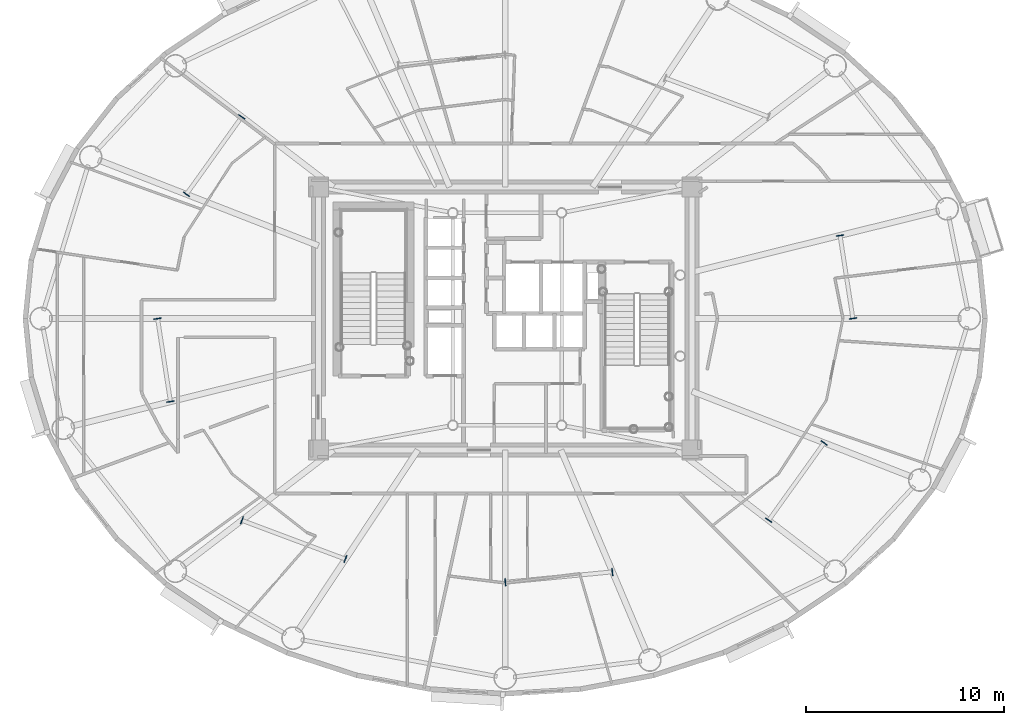
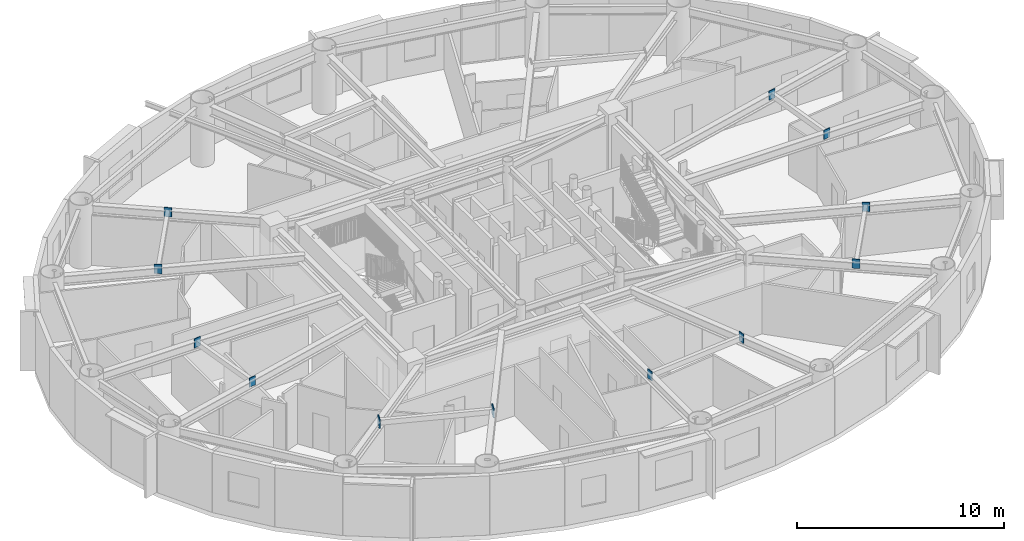
# One storey, part 7 of 22: 12 plates.
"""IFC4 building model written with IfcOpenShell, lengths in metres."""

from ifc_helpers import new_model, si_unit, direction, frame, origin, origin_2d, place, context, subcontext, project, spatial, rectangle, extrude, source, transform, mapped, material, layer, layer_set, type_object, element, save


model = new_model("IFC4")

# Units and contexts
model_context = context("Model", 3, precision=1e-05, world=origin(), true_north=direction((0.0, 1.0)))
body_context = subcontext(model_context, "Body", "Model", "MODEL_VIEW")
ifc_project = project(units=[si_unit("LENGTHUNIT", "METRE"), si_unit("AREAUNIT", "SQUARE_METRE"), si_unit("VOLUMEUNIT", "CUBIC_METRE"), si_unit("PLANEANGLEUNIT", "RADIAN"), si_unit("MASSUNIT", "GRAM", prefix="KILO")], contexts=[model_context])

# Site, building, storey
site_placement = place(None, origin())
site = spatial("IfcSite", under=ifc_project, at=site_placement, CompositionType="ELEMENT")
building_placement = place(site_placement, origin())
building = spatial("IfcBuilding", under=site, at=building_placement, Name="Linh Dai School and Residence Tower", CompositionType="ELEMENT")
storey_placement = place(building_placement, frame((0.0, 0.0, 214.050048828125)))
storey = spatial("IfcBuildingStorey", under=building, at=storey_placement, Name="L52", CompositionType="ELEMENT", Elevation=214.050048828125)

# Plates
ifc_material = material(Name="Structural Steel S355JR", Category="steel")
ifc_layer = layer(ifc_material, 0.0400390625)
ifc_layer_set = layer_set([ifc_layer], Name="Structural Steel S355JR")
plate_type = type_object("IfcPlateType", Name="PLT-GP1", PredefinedType="USERDEFINED", material=ifc_layer_set)
shared_shape = source(origin(), body_context, "Body", "SweptSolid", [
    extrude(rectangle(XDim=0.0400390625, YDim=0.3798828125, at=origin_2d()), origin(), (0.0, 0.0, 1.0), 0.5400390625),
])
for number, where, z_axis, x_axis, name in (
    (1, (53.583740234375, 27.0048828125, 3.079833984375), (0.0, 0.0, 1.0), (-0.153185627242, 0.988197431492, 0.0), "L52 Secondary Beam End Plate 01A"),
    (2, (52.93359375, 31.198974609375, 3.079833984375), (0.0, 0.0, 1.0), (-0.153185627242, 0.988197431492, 0.0), "L52 Secondary Beam End Plate 01B"),
    (3, (22.675048828125, 37.201904296875, 3.079833984375), (0.0, 0.0, 1.0), (-0.582040406941, -0.813159864164, 0.0), "L52 Secondary Beam End Plate 04A"),
    (4, (19.8740234375, 33.28857421875, 3.079833984375), (0.0, 0.0, 1.0), (-0.582040406941, -0.813159864164, 0.0), "L52 Secondary Beam End Plate 04B"),
    (5, (18.416259765625, 26.9951171875, 3.079833984375), (0.0, 0.0, 1.0), (0.153185627242, -0.988197431492, 0.0), "L52 Secondary Beam End Plate 05A"),
    (6, (19.06640625, 22.801025390625, 3.079833984375), (0.0, 0.0, 1.0), (0.153185627242, -0.988197431492, 0.0), "L52 Secondary Beam End Plate 05B"),
    (7, (22.6826171875, 16.792236328125, 3.079833984375), (0.0, 0.0, 1.0), (0.936533727109, -0.35057749213, 0.0), "L52 Secondary Beam End Plate 06A"),
    (8, (27.914306640625, 14.833984375, 3.079833984375), (0.0, 0.0, 1.0), (0.936533727109, -0.35057749213, 0.0), "L52 Secondary Beam End Plate 06B"),
    (9, (36.0048828125, 13.6630859375, 3.079833984375), (0.0, 0.0, 1.0), (0.995333315624, 0.096496584447, 0.0), "L52 Secondary Beam End Plate 07A"),
    (10, (41.418212890625, 14.18798828125, 3.079833984375), (0.0, 0.0, 1.0), (0.995333315624, 0.096496584447, 0.0), "L52 Secondary Beam End Plate 07B"),
    (11, (49.324951171875, 16.798095703125, 3.079833984375), (0.0, 0.0, 1.0), (0.582040406941, 0.813159864164, 0.0), "L52 Secondary Beam End Plate 08A"),
    (12, (52.1259765625, 20.71142578125, 3.079833984375), (0.0, 0.0, 1.0), (0.582040406941, 0.813159864164, 0.0), "L52 Secondary Beam End Plate 08B"),
):
    element("IfcPlate", number, at=place(storey_placement, frame(where, z_axis=z_axis, x_axis=x_axis)), inside=storey, type_object=plate_type, Name=name, ObjectType="GUSSET PLATE", PredefinedType="USERDEFINED", context=body_context, shape_type="MappedRepresentation", body=[
        mapped(shared_shape, transform((0.0, 0.0, 0.0), x_axis=(1.0, 0.0, 0.0), y_axis=(0.0, 1.0, 0.0), z_axis=(0.0, 0.0, 1.0), scale=1.0)),
    ])

save(model, "model.ifc")
